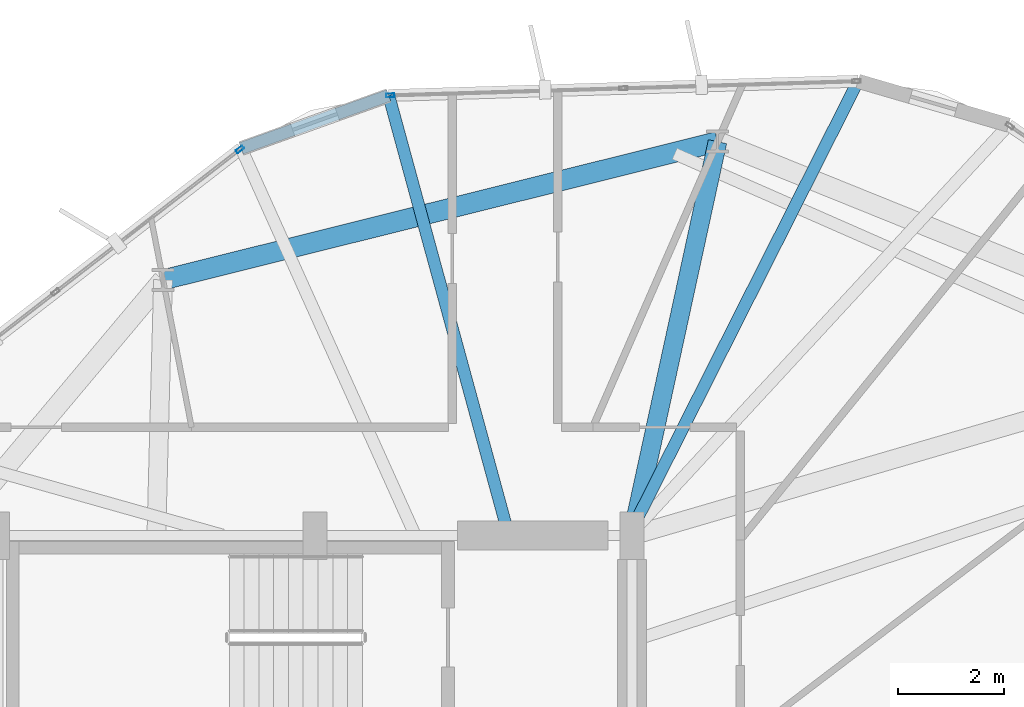
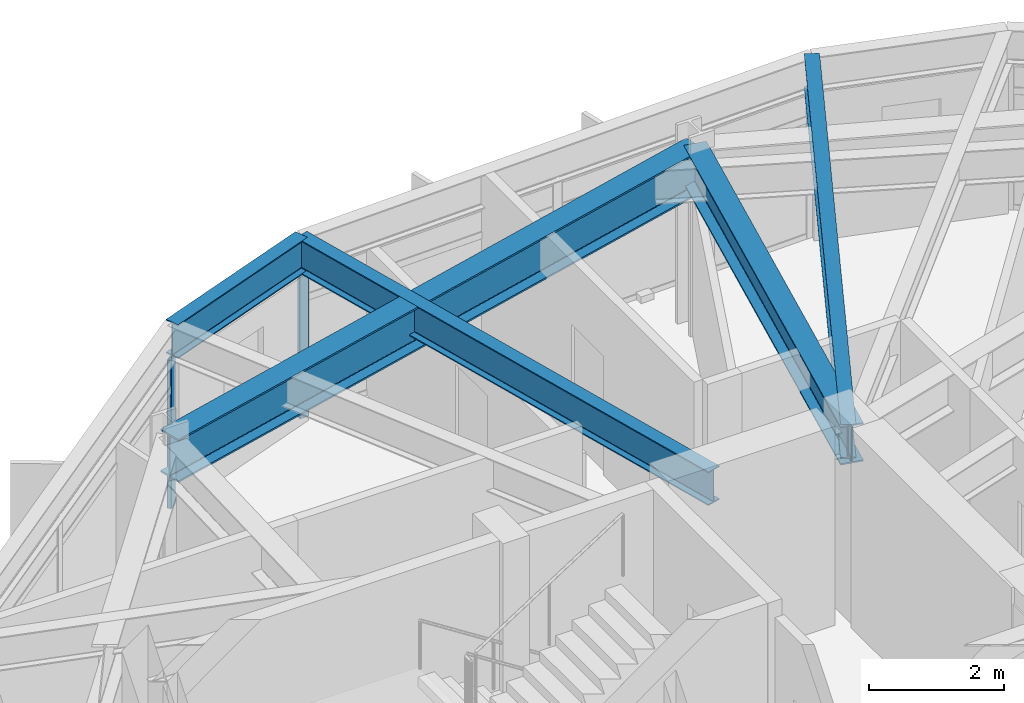
# One storey, part 13 of 23: 5 beams, 2 members, 2 elements without a shape of their own.
"""IFC4 building model written with IfcOpenShell, lengths in metres."""

from ifc_helpers import new_model, si_unit, direction, frame, origin, origin_2d, place, context, subcontext, project, spatial, hollow_rectangle, i_section, extrude, material, layer, layer_set, material_profile, profile_set, type_object, element, aggregate, save


model = new_model("IFC4")

# Units and contexts
model_context = context("Model", 3, precision=1e-05, world=origin(), true_north=direction((0.0, 1.0)))
body_context = subcontext(model_context, "Body", "Model", "MODEL_VIEW")
ifc_project = project(units=[si_unit("LENGTHUNIT", "METRE"), si_unit("AREAUNIT", "SQUARE_METRE"), si_unit("VOLUMEUNIT", "CUBIC_METRE"), si_unit("PLANEANGLEUNIT", "RADIAN"), si_unit("MASSUNIT", "GRAM", prefix="KILO")], contexts=[model_context])

# Site, building, storey
site_placement = place(None, origin())
site = spatial("IfcSite", under=ifc_project, at=site_placement, CompositionType="ELEMENT")
building_placement = place(site_placement, origin())
building = spatial("IfcBuilding", under=site, at=building_placement, Name="Soratama Intermodal Tower", CompositionType="ELEMENT")
storey_placement = place(building_placement, frame((0.0, 0.0, 171.39990234375)))
storey = spatial("IfcBuildingStorey", under=building, at=storey_placement, Name="L42", CompositionType="ELEMENT", Elevation=171.39990234375)

# Beams
ifc_material_1 = material(Name="Structural steel ASTM A992 Grade 50", Category="steel")
ifc_material_profile_1 = material_profile(ifc_material_1, i_section(OverallWidth=0.35498046875, OverallDepth=0.695068359375, WebThickness=0.015380859375, FlangeThickness=0.02490234375, FilletRadius=0.01611328125, at=origin_2d()), Name="W27X146")
ifc_profile_set_1 = profile_set([ifc_material_profile_1], Name="Structural steel ASTM A992 Grade 50")
beam_type_1 = type_object("IfcBeamType", Name="BM-RING-W27X146", PredefinedType="BEAM", material=ifc_profile_set_1)
beam_1_placement = place(storey_placement, frame((44.60009765625, 35.0, 2.95263671875), z_axis=(0.212399095304, 0.977183004515, 0.0), x_axis=(-0.977183004515, 0.212399095304, 0.0)))
element("IfcBeam", 1, at=beam_1_placement, inside=storey, type_object=beam_type_1, Name="BM-L42-RAD-03", PredefinedType="BEAM", context=body_context, shape_type="SweptSolid", body=[
    extrude(i_section(OverallWidth=0.35498046875, OverallDepth=0.695068359375, WebThickness=0.015380859375, FlangeThickness=0.02490234375, FilletRadius=0.01611328125, at=origin_2d()), origin(), (0.0, 0.0, 1.0), 7.631103515625),
])
ifc_material_2 = material(Name="Structural steel ASTM A992 Grade 50", Category="steel")
ifc_material_profile_2 = material_profile(ifc_material_2, i_section(OverallWidth=0.382080078125, OverallDepth=0.779052734375, WebThickness=0.01806640625, FlangeThickness=0.030029296875, FilletRadius=0.01806640625, at=origin_2d()), Name="W30X191")
ifc_profile_set_2 = profile_set([ifc_material_profile_2], Name="Structural steel ASTM A992 Grade 50")
beam_type_2 = type_object("IfcBeamType", Name="BM-RING-W30X191", PredefinedType="BEAM", material=ifc_profile_set_2)
beam_2_placement = place(storey_placement, frame((46.220947265625, 42.45703125, 2.91064453125), z_axis=(-0.970310893227, -0.241861056155, 0.0), x_axis=(0.241861056155, -0.970310893227, 0.0)))
element("IfcBeam", 2, at=beam_2_placement, inside=storey, type_object=beam_type_2, Name="BM-L42-RING-03", PredefinedType="BEAM", context=body_context, shape_type="SweptSolid", body=[
    extrude(i_section(OverallWidth=0.382080078125, OverallDepth=0.779052734375, WebThickness=0.01806640625, FlangeThickness=0.030029296875, FilletRadius=0.01806640625, at=origin_2d()), origin(), (0.0, 0.0, 1.0), 10.81591796875),
])
ifc_material_3 = material(Name="Structural steel ASTM A992 Grade 50", Category="steel")
ifc_material_profile_3 = material_profile(ifc_material_3, i_section(OverallWidth=0.22900390625, OverallDepth=0.612060546875, WebThickness=0.011962890625, FlangeThickness=0.01953125, FilletRadius=0.012939453125, at=origin_2d()), Name="W24X84")
ifc_profile_set_3 = profile_set([ifc_material_profile_3], Name="Structural steel ASTM A992 Grade 50")
beam_type_3 = type_object("IfcBeamType", Name="BM-SPN-W24X84", PredefinedType="SPANDREL", material=ifc_profile_set_3)
beam_3_placement = place(storey_placement, frame((39.998046875, 43.33203125, 2.994140625), z_axis=(-0.941226878592, -0.337775018341, 0.0), x_axis=(0.337775018341, -0.941226878592, 0.0)))
element("IfcBeam", 3, at=beam_3_placement, inside=storey, type_object=beam_type_3, Name="BS-L42-CRN02", PredefinedType="SPANDREL", context=body_context, shape_type="SweptSolid", body=[
    extrude(i_section(OverallWidth=0.22900390625, OverallDepth=0.612060546875, WebThickness=0.011962890625, FlangeThickness=0.01953125, FilletRadius=0.012939453125, at=origin_2d()), origin(), (0.0, 0.0, 1.0), 2.96630859375),
])
ifc_material_4 = material(Name="Structural steel ASTM A992 Grade 50", Category="steel")
ifc_material_profile_4 = material_profile(ifc_material_4, i_section(OverallWidth=0.22900390625, OverallDepth=0.612060546875, WebThickness=0.011962890625, FlangeThickness=0.01953125, FilletRadius=0.012939453125, at=origin_2d()), Name="W24X84")
ifc_profile_set_4 = profile_set([ifc_material_profile_4], Name="Structural steel ASTM A992 Grade 50")
beam_type_4 = type_object("IfcBeamType", Name="BM-TIE-W24X84", PredefinedType="BEAM", material=ifc_profile_set_4)
beam_4_placement = place(storey_placement, frame((44.556884765625, 35.035888671875, 2.994140625), z_axis=(0.450538587211, 0.892756955411, 0.0), x_axis=(-0.892756955411, 0.450538587211, 0.0)))
element("IfcBeam", 4, at=beam_4_placement, inside=storey, type_object=beam_type_4, Name="BM-L42-TIE0-02", PredefinedType="BEAM", context=body_context, shape_type="SweptSolid", body=[
    extrude(i_section(OverallWidth=0.22900390625, OverallDepth=0.612060546875, WebThickness=0.011962890625, FlangeThickness=0.01953125, FilletRadius=0.012939453125, at=origin_2d()), origin(), (0.0, 0.0, 1.0), 9.59521484375),
])
beam_5_placement = place(storey_placement, frame((42.260986328125, 35.0390625, 2.994140625), z_axis=(-0.263249577563, 0.964727764664, 0.0), x_axis=(-0.964727764664, -0.263249577563, 0.0)))
element("IfcBeam", 5, at=beam_5_placement, inside=storey, type_object=beam_type_4, Name="BM-L42-TIE1-02", PredefinedType="BEAM", context=body_context, shape_type="SweptSolid", body=[
    extrude(i_section(OverallWidth=0.22900390625, OverallDepth=0.612060546875, WebThickness=0.011962890625, FlangeThickness=0.01953125, FilletRadius=0.012939453125, at=origin_2d()), origin(), (0.0, 0.0, 1.0), 8.59619140625),
])

# Curtain wall, member
ifc_material_5 = material(Name="Double-glazed aluminium curtain wall", Category="aluminium")
ifc_layer = layer(ifc_material_5, 0.159912109375)
ifc_layer_set = layer_set([ifc_layer], Name="Double-glazed aluminium curtain wall")
curtain_wall_type = type_object("IfcCurtainWallType", Name="CW-SYS-4", PredefinedType="NOTDEFINED", material=ifc_layer_set)
curtain_wall_1_placement = place(storey_placement, origin())
curtain_wall_1 = element("IfcCurtainWall", 6, at=curtain_wall_1_placement, inside=storey, type_object=curtain_wall_type, Name="L42 Faceted Curtain Wall F02", PredefinedType="NOTDEFINED")
ifc_material_6 = material(Name="Anodised aluminium AA 6063-T6", Category="aluminium")
ifc_material_profile_5 = material_profile(ifc_material_6, hollow_rectangle(XDim=0.070068359375, YDim=0.159912109375, WallThickness=0.0048828125, InnerFilletRadius=0.0048828125, OuterFilletRadius=0.010009765625, at=origin_2d()), Name="CWM160X70X5")
ifc_profile_set_5 = profile_set([ifc_material_profile_5], Name="Anodised aluminium AA 6063-T6")
member_type = type_object("IfcMemberType", Name="MT-CWM-4", PredefinedType="MULLION", material=ifc_profile_set_5)
member_1_placement = place(storey_placement, frame((40.027587890625, 43.332763671875, 0.0), z_axis=(0.0, 0.0, 1.0), x_axis=(0.030359988073, -0.999539029315, 0.0)))
member_1 = element("IfcMember", 7, at=member_1_placement, type_object=member_type, Name="CW-4 mullion 3", PredefinedType="MULLION", context=body_context, shape_type="SweptSolid", body=[
    extrude(hollow_rectangle(XDim=0.070068359375, YDim=0.159912109375, WallThickness=0.0048828125, InnerFilletRadius=0.0048828125, OuterFilletRadius=0.010009765625, at=origin_2d()), origin(), (0.0, 0.0, 1.0), 2.67919921875),
])
aggregate(curtain_wall_1, [member_1])

curtain_wall_2_placement = place(storey_placement, origin())
curtain_wall_2 = element("IfcCurtainWall", 8, at=curtain_wall_2_placement, inside=storey, type_object=curtain_wall_type, Name="L42 Faceted Curtain Wall F03", PredefinedType="NOTDEFINED")
member_2_placement = place(storey_placement, frame((37.181884765625, 42.3115234375, 0.0), z_axis=(0.0, 0.0, 1.0), x_axis=(0.612073099005, -0.790801189601, 0.0)))
member_2 = element("IfcMember", 9, at=member_2_placement, type_object=member_type, Name="CW-4 mullion 1", PredefinedType="MULLION", context=body_context, shape_type="SweptSolid", body=[
    extrude(hollow_rectangle(XDim=0.070068359375, YDim=0.159912109375, WallThickness=0.0048828125, InnerFilletRadius=0.0048828125, OuterFilletRadius=0.010009765625, at=origin_2d()), origin(), (0.0, 0.0, 1.0), 2.67919921875),
])
aggregate(curtain_wall_2, [member_2])

save(model, "model.ifc")
